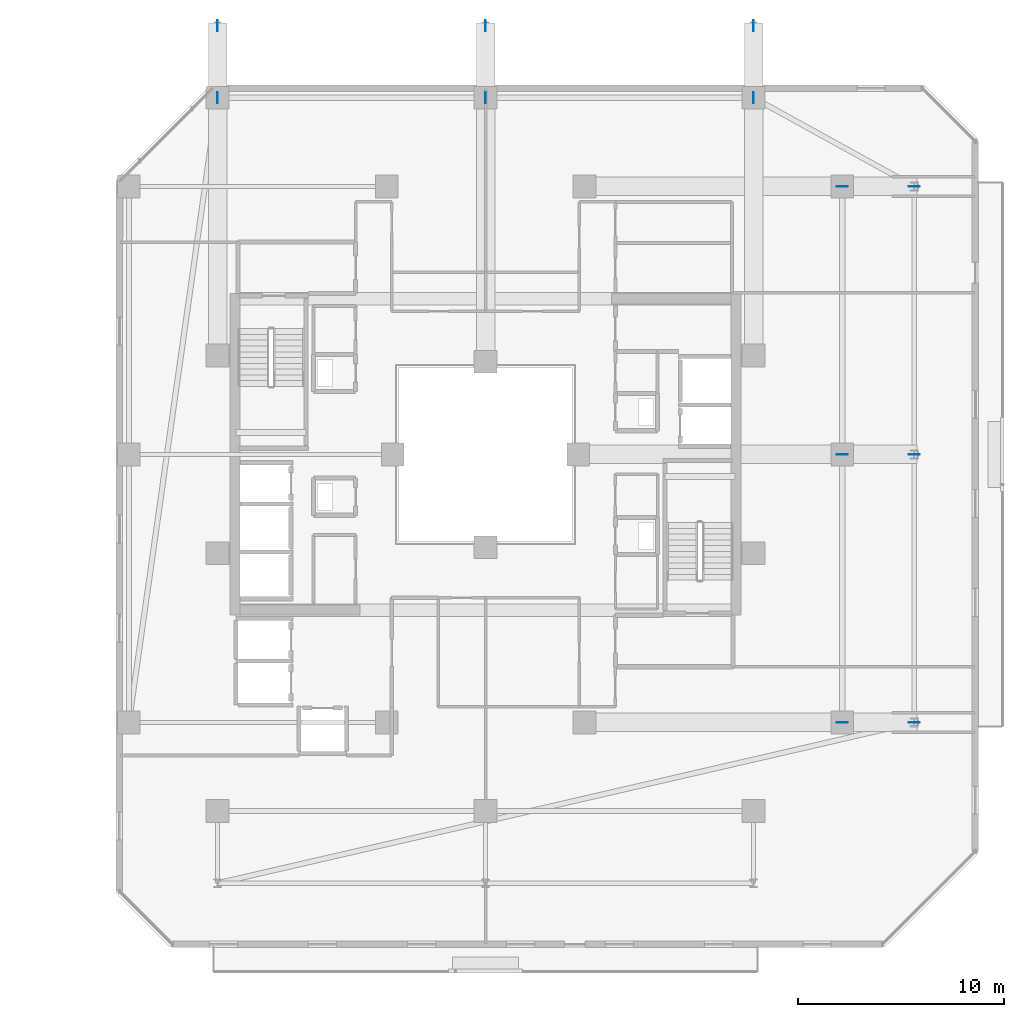
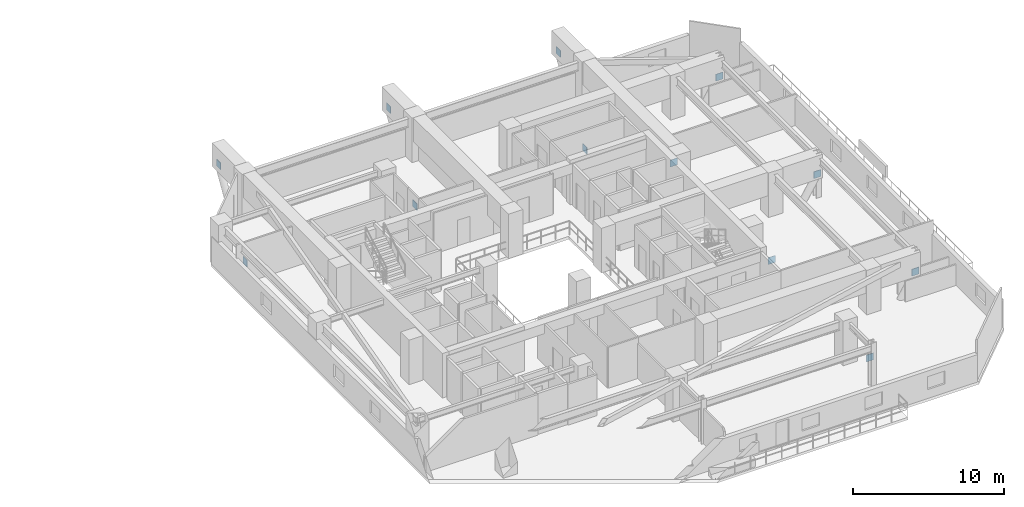
# One storey, part 19 of 35: 12 plates.
"""IFC4 building model written with IfcOpenShell, lengths in metres."""

from ifc_helpers import new_model, si_unit, direction, frame, origin, origin_2d, place, context, subcontext, project, spatial, rectangle, extrude, material, layer, layer_set, type_object, element, save


model = new_model("IFC4")

# Units and contexts
model_context = context("Model", 3, precision=1e-05, world=origin(), true_north=direction((0.0, 1.0)))
body_context = subcontext(model_context, "Body", "Model", "MODEL_VIEW")
ifc_project = project(units=[si_unit("LENGTHUNIT", "METRE"), si_unit("AREAUNIT", "SQUARE_METRE"), si_unit("VOLUMEUNIT", "CUBIC_METRE"), si_unit("PLANEANGLEUNIT", "RADIAN"), si_unit("MASSUNIT", "GRAM", prefix="KILO")], contexts=[model_context])

# Site, building, storey
site_placement = place(None, origin())
site = spatial("IfcSite", under=ifc_project, at=site_placement, CompositionType="ELEMENT")
building_placement = place(site_placement, origin())
building = spatial("IfcBuilding", under=site, at=building_placement, Name="Thornwick Lancets Civic Towers", CompositionType="ELEMENT")
storey_placement = place(building_placement, frame((0.0, 0.0, 145.5)))
storey = spatial("IfcBuildingStorey", under=building, at=storey_placement, Name="L38", CompositionType="ELEMENT", Elevation=145.5)

# Plates
ifc_material = material(Name="Steel S460M", Category="steel")
ifc_layer = layer(ifc_material, 0.0400390625, Name="Steel S460M")
ifc_layer_set = layer_set([ifc_layer], Name="Steel S460M")
plate_type = type_object("IfcPlateType", Name="PLT_GUSSET_40", PredefinedType="USERDEFINED", material=ifc_layer_set)
for number, where, z_axis, x_axis, name in (
    (1, (105.800048828125, 14.0, -4.22509765625), (0.0, 0.0, 1.0), (1.0, 0.0, 0.0), "L38 Brace Connection Gusset Plate 0251"),
    (2, (109.300048828125, 14.0, 1.5048828125), (0.0, 0.0, 1.0), (1.0, 0.0, 0.0), "L38 Brace Connection Gusset Plate 0252"),
    (3, (105.800048828125, 27.0, -4.22509765625), (0.0, 0.0, 1.0), (1.0, 0.0, 0.0), "L38 Brace Connection Gusset Plate 0253"),
    (4, (109.300048828125, 27.0, 1.5048828125), (0.0, 0.0, 1.0), (1.0, 0.0, 0.0), "L38 Brace Connection Gusset Plate 0254"),
    (5, (105.800048828125, 40.0, -4.22509765625), (0.0, 0.0, 1.0), (1.0, 0.0, 0.0), "L38 Brace Connection Gusset Plate 0255"),
    (6, (109.300048828125, 40.0, 1.5048828125), (0.0, 0.0, 1.0), (1.0, 0.0, 0.0), "L38 Brace Connection Gusset Plate 0256"),
    (7, (101.5, 44.300048828125, -4.22509765625), (0.0, 0.0, 1.0), (0.0, 1.0, 0.0), "L38 Brace Connection Gusset Plate 0257"),
    (8, (101.5, 47.800048828125, 1.5048828125), (0.0, 0.0, 1.0), (0.0, 1.0, 0.0), "L38 Brace Connection Gusset Plate 0258"),
    (9, (88.5, 44.300048828125, -4.22509765625), (0.0, 0.0, 1.0), (0.0, 1.0, 0.0), "L38 Brace Connection Gusset Plate 0259"),
    (10, (88.5, 47.800048828125, 1.5048828125), (0.0, 0.0, 1.0), (0.0, 1.0, 0.0), "L38 Brace Connection Gusset Plate 0260"),
    (11, (75.5, 44.300048828125, -4.22509765625), (0.0, 0.0, 1.0), (0.0, 1.0, 0.0), "L38 Brace Connection Gusset Plate 0261"),
    (12, (75.5, 47.800048828125, 1.5048828125), (0.0, 0.0, 1.0), (0.0, 1.0, 0.0), "L38 Brace Connection Gusset Plate 0262"),
):
    element("IfcPlate", number, at=place(storey_placement, frame(where, z_axis=z_axis, x_axis=x_axis)), inside=storey, type_object=plate_type, Name=name, ObjectType="GUSSET_PLATE", PredefinedType="USERDEFINED", context=body_context, shape_type="SweptSolid", body=[
        extrude(rectangle(XDim=0.550048828125, YDim=0.0400390625, at=origin_2d()), origin(), (0.0, 0.0, 1.0), 0.550048828125),
    ])

save(model, "model.ifc")
